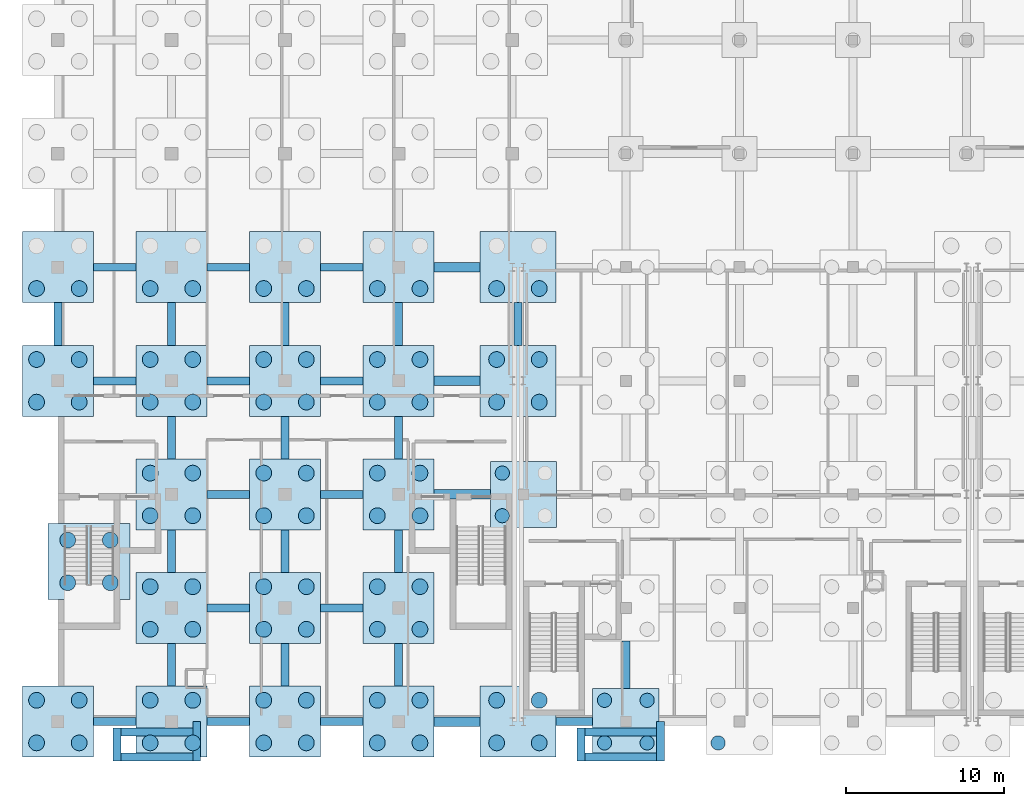
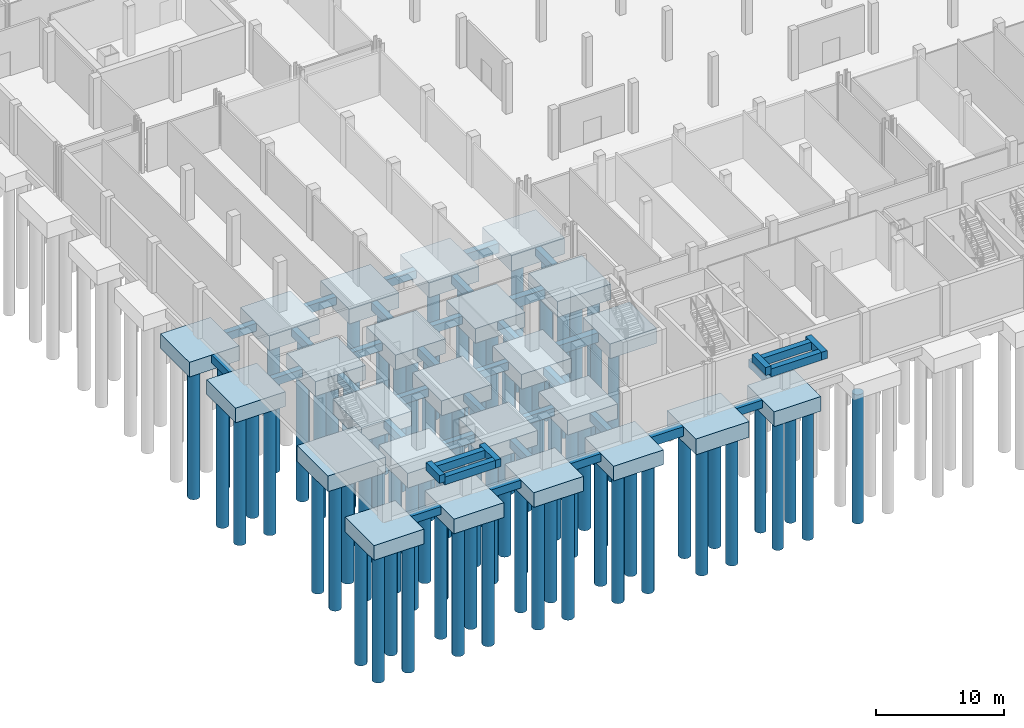
# One storey, part 1 of 35: 85 piles, 65 footings.
"""IFC4 building model written with IfcOpenShell, lengths in metres."""

from ifc_helpers import new_model, si_unit, direction, frame, origin, origin_2d, place, context, subcontext, project, spatial, rectangle, circle, extrude, material, material_profile, profile_set, type_object, element, save


model = new_model("IFC4")

# Units and contexts
model_context = context("Model", 3, precision=1e-05, world=origin(), true_north=direction((0.0, 1.0)))
body_context = subcontext(model_context, "Body", "Model", "MODEL_VIEW")
ifc_project = project(units=[si_unit("LENGTHUNIT", "METRE"), si_unit("AREAUNIT", "SQUARE_METRE"), si_unit("VOLUMEUNIT", "CUBIC_METRE"), si_unit("PLANEANGLEUNIT", "RADIAN"), si_unit("MASSUNIT", "GRAM", prefix="KILO")], contexts=[model_context])

# Site, building, storey
site_placement = place(None, origin())
site = spatial("IfcSite", under=ifc_project, at=site_placement, CompositionType="ELEMENT")
building_placement = place(site_placement, origin())
building = spatial("IfcBuilding", under=site, at=building_placement, Name="Zarrinpeak Specialist Clinic", CompositionType="ELEMENT")
storey_placement = place(building_placement, frame((0.0, 0.0, -4.800048828125)))
storey = spatial("IfcBuildingStorey", under=building, at=storey_placement, Name="B01", CompositionType="ELEMENT", Elevation=-4.800048828125)

# Footings
ifc_material = material(Name="Concrete C40/50", Category="concrete")
ifc_material_profile_1 = material_profile(ifc_material, rectangle(XDim=0.5, YDim=0.75, at=origin_2d()), Name="RC 500x750")
ifc_profile_set_1 = profile_set([ifc_material_profile_1], Name="Concrete C40/50")
footing_type_1 = type_object("IfcFootingType", Name="FT-GB1", PredefinedType="FOOTING_BEAM", material=ifc_profile_set_1)
for number, where, z_axis, x_axis, name in (
    (1, (2.25, 0.0, -0.77490234375), (1.0, 0.0, 0.0), (0.0, 1.0, 0.0), "Continuous Ground Tie Beam GB-001"),
    (2, (9.449951171875, 0.0, -0.77490234375), (1.0, 0.0, 0.0), (0.0, 1.0, 0.0), "Continuous Ground Tie Beam GB-002"),
):
    element("IfcFooting", number, at=place(storey_placement, frame(where, z_axis=z_axis, x_axis=x_axis)), inside=storey, type_object=footing_type_1, Name=name, PredefinedType="FOOTING_BEAM", context=body_context, shape_type="SweptSolid", body=[
        extrude(rectangle(XDim=0.5, YDim=0.75, at=origin_2d()), origin(), (0.0, 0.0, 1.0), 2.699951171875),
    ])
footing_1_placement = place(storey_placement, frame((16.64990234375, 0.0, -0.77490234375), z_axis=(1.0, 0.0, 0.0), x_axis=(0.0, 1.0, 0.0)))
element("IfcFooting", 3, at=footing_1_placement, inside=storey, type_object=footing_type_1, Name="Continuous Ground Tie Beam GB-003", PredefinedType="FOOTING_BEAM", context=body_context, shape_type="SweptSolid", body=[
    extrude(rectangle(XDim=0.5, YDim=0.75, at=origin_2d()), origin(), (0.0, 0.0, 1.0), 2.7001953125),
])
footing_2_placement = place(storey_placement, frame((31.56005859375, 0.0, -0.77490234375), z_axis=(1.0, 0.0, 0.0), x_axis=(0.0, 1.0, 0.0)))
element("IfcFooting", 4, at=footing_2_placement, inside=storey, type_object=footing_type_1, Name="Continuous Ground Tie Beam GB-005", PredefinedType="FOOTING_BEAM", context=body_context, shape_type="SweptSolid", body=[
    extrude(rectangle(XDim=0.5, YDim=0.75, at=origin_2d()), origin(), (0.0, 0.0, 1.0), 2.33984375),
])
footing_3_placement = place(storey_placement, frame((9.449951171875, 7.199951171875, -0.77490234375), z_axis=(1.0, 0.0, 0.0), x_axis=(0.0, 1.0, 0.0)))
element("IfcFooting", 5, at=footing_3_placement, inside=storey, type_object=footing_type_1, Name="Continuous Ground Tie Beam GB-013", PredefinedType="FOOTING_BEAM", context=body_context, shape_type="SweptSolid", body=[
    extrude(rectangle(XDim=0.5, YDim=0.75, at=origin_2d()), origin(), (0.0, 0.0, 1.0), 2.699951171875),
])
footing_4_placement = place(storey_placement, frame((16.64990234375, 7.199951171875, -0.77490234375), z_axis=(1.0, 0.0, 0.0), x_axis=(0.0, 1.0, 0.0)))
element("IfcFooting", 6, at=footing_4_placement, inside=storey, type_object=footing_type_1, Name="Continuous Ground Tie Beam GB-014", PredefinedType="FOOTING_BEAM", context=body_context, shape_type="SweptSolid", body=[
    extrude(rectangle(XDim=0.5, YDim=0.75, at=origin_2d()), origin(), (0.0, 0.0, 1.0), 2.7001953125),
])
footing_5_placement = place(storey_placement, frame((9.449951171875, 14.39990234375, -0.77490234375), z_axis=(1.0, 0.0, 0.0), x_axis=(0.0, 1.0, 0.0)))
element("IfcFooting", 7, at=footing_5_placement, inside=storey, type_object=footing_type_1, Name="Continuous Ground Tie Beam GB-018", PredefinedType="FOOTING_BEAM", context=body_context, shape_type="SweptSolid", body=[
    extrude(rectangle(XDim=0.5, YDim=0.75, at=origin_2d()), origin(), (0.0, 0.0, 1.0), 2.699951171875),
])
footing_6_placement = place(storey_placement, frame((16.64990234375, 14.39990234375, -0.77490234375), z_axis=(1.0, 0.0, 0.0), x_axis=(0.0, 1.0, 0.0)))
element("IfcFooting", 8, at=footing_6_placement, inside=storey, type_object=footing_type_1, Name="Continuous Ground Tie Beam GB-019", PredefinedType="FOOTING_BEAM", context=body_context, shape_type="SweptSolid", body=[
    extrude(rectangle(XDim=0.5, YDim=0.75, at=origin_2d()), origin(), (0.0, 0.0, 1.0), 2.7001953125),
])
for number, where, z_axis, x_axis, name in (
    (9, (2.25, 21.60009765625, -0.77490234375), (1.0, 0.0, 0.0), (0.0, 1.0, 0.0), "Continuous Ground Tie Beam GB-029"),
    (10, (9.449951171875, 21.60009765625, -0.77490234375), (1.0, 0.0, 0.0), (0.0, 1.0, 0.0), "Continuous Ground Tie Beam GB-030"),
):
    element("IfcFooting", number, at=place(storey_placement, frame(where, z_axis=z_axis, x_axis=x_axis)), inside=storey, type_object=footing_type_1, Name=name, PredefinedType="FOOTING_BEAM", context=body_context, shape_type="SweptSolid", body=[
        extrude(rectangle(XDim=0.5, YDim=0.75, at=origin_2d()), origin(), (0.0, 0.0, 1.0), 2.699951171875),
    ])
footing_7_placement = place(storey_placement, frame((16.64990234375, 21.60009765625, -0.77490234375), z_axis=(1.0, 0.0, 0.0), x_axis=(0.0, 1.0, 0.0)))
element("IfcFooting", 11, at=footing_7_placement, inside=storey, type_object=footing_type_1, Name="Continuous Ground Tie Beam GB-031", PredefinedType="FOOTING_BEAM", context=body_context, shape_type="SweptSolid", body=[
    extrude(rectangle(XDim=0.5, YDim=0.75, at=origin_2d()), origin(), (0.0, 0.0, 1.0), 2.7001953125),
])
for number, where, z_axis, x_axis, name in (
    (12, (2.25, 28.800048828125, -0.77490234375), (1.0, 0.0, 0.0), (0.0, 1.0, 0.0), "Continuous Ground Tie Beam GB-041"),
    (13, (9.449951171875, 28.800048828125, -0.77490234375), (1.0, 0.0, 0.0), (0.0, 1.0, 0.0), "Continuous Ground Tie Beam GB-042"),
):
    element("IfcFooting", number, at=place(storey_placement, frame(where, z_axis=z_axis, x_axis=x_axis)), inside=storey, type_object=footing_type_1, Name=name, PredefinedType="FOOTING_BEAM", context=body_context, shape_type="SweptSolid", body=[
        extrude(rectangle(XDim=0.5, YDim=0.75, at=origin_2d()), origin(), (0.0, 0.0, 1.0), 2.699951171875),
    ])
footing_8_placement = place(storey_placement, frame((16.64990234375, 28.800048828125, -0.77490234375), z_axis=(1.0, 0.0, 0.0), x_axis=(0.0, 1.0, 0.0)))
element("IfcFooting", 14, at=footing_8_placement, inside=storey, type_object=footing_type_1, Name="Continuous Ground Tie Beam GB-043", PredefinedType="FOOTING_BEAM", context=body_context, shape_type="SweptSolid", body=[
    extrude(rectangle(XDim=0.5, YDim=0.75, at=origin_2d()), origin(), (0.0, 0.0, 1.0), 2.7001953125),
])
for number, where, z_axis, x_axis, name in (
    (15, (0.0, 23.85009765625, -0.77490234375), (0.0, 1.0, 0.0), (-1.0, 0.0, 0.0), "Continuous Ground Tie Beam GB-208"),
    (16, (7.199951171875, 2.25, -0.77490234375), (0.0, 1.0, 0.0), (-1.0, 0.0, 0.0), "Continuous Ground Tie Beam GB-215"),
    (17, (7.199951171875, 9.449951171875, -0.77490234375), (0.0, 1.0, 0.0), (-1.0, 0.0, 0.0), "Continuous Ground Tie Beam GB-216"),
):
    element("IfcFooting", number, at=place(storey_placement, frame(where, z_axis=z_axis, x_axis=x_axis)), inside=storey, type_object=footing_type_1, Name=name, PredefinedType="FOOTING_BEAM", context=body_context, shape_type="SweptSolid", body=[
        extrude(rectangle(XDim=0.5, YDim=0.75, at=origin_2d()), origin(), (0.0, 0.0, 1.0), 2.699951171875),
    ])
footing_9_placement = place(storey_placement, frame((7.199951171875, 16.64990234375, -0.77490234375), z_axis=(0.0, 1.0, 0.0), x_axis=(-1.0, 0.0, 0.0)))
element("IfcFooting", 18, at=footing_9_placement, inside=storey, type_object=footing_type_1, Name="Continuous Ground Tie Beam GB-217", PredefinedType="FOOTING_BEAM", context=body_context, shape_type="SweptSolid", body=[
    extrude(rectangle(XDim=0.5, YDim=0.75, at=origin_2d()), origin(), (0.0, 0.0, 1.0), 2.7001953125),
])
for number, where, z_axis, x_axis, name in (
    (19, (7.199951171875, 23.85009765625, -0.77490234375), (0.0, 1.0, 0.0), (-1.0, 0.0, 0.0), "Continuous Ground Tie Beam GB-218"),
    (20, (14.39990234375, 2.25, -0.77490234375), (0.0, 1.0, 0.0), (-1.0, 0.0, 0.0), "Continuous Ground Tie Beam GB-226"),
    (21, (14.39990234375, 9.449951171875, -0.77490234375), (0.0, 1.0, 0.0), (-1.0, 0.0, 0.0), "Continuous Ground Tie Beam GB-227"),
):
    element("IfcFooting", number, at=place(storey_placement, frame(where, z_axis=z_axis, x_axis=x_axis)), inside=storey, type_object=footing_type_1, Name=name, PredefinedType="FOOTING_BEAM", context=body_context, shape_type="SweptSolid", body=[
        extrude(rectangle(XDim=0.5, YDim=0.75, at=origin_2d()), origin(), (0.0, 0.0, 1.0), 2.699951171875),
    ])
footing_10_placement = place(storey_placement, frame((14.39990234375, 16.64990234375, -0.77490234375), z_axis=(0.0, 1.0, 0.0), x_axis=(-1.0, 0.0, 0.0)))
element("IfcFooting", 22, at=footing_10_placement, inside=storey, type_object=footing_type_1, Name="Continuous Ground Tie Beam GB-228", PredefinedType="FOOTING_BEAM", context=body_context, shape_type="SweptSolid", body=[
    extrude(rectangle(XDim=0.5, YDim=0.75, at=origin_2d()), origin(), (0.0, 0.0, 1.0), 2.7001953125),
])
for number, where, z_axis, x_axis, name in (
    (23, (14.39990234375, 23.85009765625, -0.77490234375), (0.0, 1.0, 0.0), (-1.0, 0.0, 0.0), "Continuous Ground Tie Beam GB-229"),
    (24, (21.60009765625, 2.25, -0.77490234375), (0.0, 1.0, 0.0), (-1.0, 0.0, 0.0), "Continuous Ground Tie Beam GB-237"),
    (25, (21.60009765625, 9.449951171875, -0.77490234375), (0.0, 1.0, 0.0), (-1.0, 0.0, 0.0), "Continuous Ground Tie Beam GB-238"),
):
    element("IfcFooting", number, at=place(storey_placement, frame(where, z_axis=z_axis, x_axis=x_axis)), inside=storey, type_object=footing_type_1, Name=name, PredefinedType="FOOTING_BEAM", context=body_context, shape_type="SweptSolid", body=[
        extrude(rectangle(XDim=0.5, YDim=0.75, at=origin_2d()), origin(), (0.0, 0.0, 1.0), 2.699951171875),
    ])
footing_11_placement = place(storey_placement, frame((21.60009765625, 16.64990234375, -0.77490234375), z_axis=(0.0, 1.0, 0.0), x_axis=(-1.0, 0.0, 0.0)))
element("IfcFooting", 26, at=footing_11_placement, inside=storey, type_object=footing_type_1, Name="Continuous Ground Tie Beam GB-239", PredefinedType="FOOTING_BEAM", context=body_context, shape_type="SweptSolid", body=[
    extrude(rectangle(XDim=0.5, YDim=0.75, at=origin_2d()), origin(), (0.0, 0.0, 1.0), 2.7001953125),
])
for number, where, z_axis, x_axis, name in (
    (27, (21.60009765625, 23.85009765625, -0.77490234375), (0.0, 1.0, 0.0), (-1.0, 0.0, 0.0), "Continuous Ground Tie Beam GB-240"),
    (28, (29.159912109375, 23.85009765625, -0.77490234375), (0.0, 1.0, 0.0), (-1.0, 0.0, 0.0), "Continuous Ground Tie Beam GB-253"),
):
    element("IfcFooting", number, at=place(storey_placement, frame(where, z_axis=z_axis, x_axis=x_axis)), inside=storey, type_object=footing_type_1, Name=name, PredefinedType="FOOTING_BEAM", context=body_context, shape_type="SweptSolid", body=[
        extrude(rectangle(XDim=0.5, YDim=0.75, at=origin_2d()), origin(), (0.0, 0.0, 1.0), 2.699951171875),
    ])
footing_12_placement = place(storey_placement, frame((36.0, 2.10009765625, -0.77490234375), z_axis=(0.0, 1.0, 0.0), x_axis=(-1.0, 0.0, 0.0)))
element("IfcFooting", 29, at=footing_12_placement, inside=storey, type_object=footing_type_1, Name="Continuous Ground Tie Beam GB-254", PredefinedType="FOOTING_BEAM", context=body_context, shape_type="SweptSolid", body=[
    extrude(rectangle(XDim=0.5, YDim=0.75, at=origin_2d()), origin(), (0.0, 0.0, 1.0), 3.0),
])
footing_13_placement = place(storey_placement, frame((3.75, -2.5, 4.025146484375), z_axis=(0.0, 1.0, 0.0), x_axis=(-1.0, 0.0, 0.0)))
element("IfcFooting", 30, at=footing_13_placement, inside=storey, type_object=footing_type_1, Name="Accessible Ramp Tie Footing Beam GB-R-ACC1", PredefinedType="FOOTING_BEAM", context=body_context, shape_type="SweptSolid", body=[
    extrude(rectangle(XDim=0.5, YDim=0.75, at=origin_2d()), origin(), (0.0, 0.0, 1.0), 2.10009765625),
])
for number, where, z_axis, x_axis, name in (
    (31, (4.0, -0.64990234375, 3.72509765625), (1.0, 0.0, 0.0), (0.0, 1.0, 0.0), "Accessible Ramp Tie Footing Beam GB-R-ACC1-N"),
    (32, (4.0, -2.25, 3.72509765625), (1.0, 0.0, 0.0), (0.0, 1.0, 0.0), "Accessible Ramp Tie Footing Beam GB-R-ACC1-S"),
):
    element("IfcFooting", number, at=place(storey_placement, frame(where, z_axis=z_axis, x_axis=x_axis)), inside=storey, type_object=footing_type_1, Name=name, PredefinedType="FOOTING_BEAM", context=body_context, shape_type="SweptSolid", body=[
        extrude(rectangle(XDim=0.5, YDim=0.75, at=origin_2d()), origin(), (0.0, 0.0, 1.0), 4.550048828125),
    ])
footing_14_placement = place(storey_placement, frame((8.800048828125, -2.5, 3.72509765625), z_axis=(0.0, 1.0, 0.0), x_axis=(-1.0, 0.0, 0.0)))
element("IfcFooting", 33, at=footing_14_placement, inside=storey, type_object=footing_type_1, Name="Accessible Ramp Tie Footing Beam GB-R-ACC1-E", PredefinedType="FOOTING_BEAM", context=body_context, shape_type="SweptSolid", body=[
    extrude(rectangle(XDim=0.5, YDim=0.75, at=origin_2d()), origin(), (0.0, 0.0, 1.0), 2.5),
])
footing_15_placement = place(storey_placement, frame((33.14990234375, -2.5, 4.025146484375), z_axis=(0.0, 1.0, 0.0), x_axis=(-1.0, 0.0, 0.0)))
element("IfcFooting", 34, at=footing_15_placement, inside=storey, type_object=footing_type_1, Name="Accessible Ramp Tie Footing Beam GB-R-ACC2", PredefinedType="FOOTING_BEAM", context=body_context, shape_type="SweptSolid", body=[
    extrude(rectangle(XDim=0.5, YDim=0.75, at=origin_2d()), origin(), (0.0, 0.0, 1.0), 2.10009765625),
])
for number, where, z_axis, x_axis, name in (
    (35, (33.39990234375, -0.64990234375, 3.72509765625), (1.0, 0.0, 0.0), (0.0, 1.0, 0.0), "Accessible Ramp Tie Footing Beam GB-R-ACC2-N"),
    (36, (33.39990234375, -2.25, 3.72509765625), (1.0, 0.0, 0.0), (0.0, 1.0, 0.0), "Accessible Ramp Tie Footing Beam GB-R-ACC2-S"),
):
    element("IfcFooting", number, at=place(storey_placement, frame(where, z_axis=z_axis, x_axis=x_axis)), inside=storey, type_object=footing_type_1, Name=name, PredefinedType="FOOTING_BEAM", context=body_context, shape_type="SweptSolid", body=[
        extrude(rectangle(XDim=0.5, YDim=0.75, at=origin_2d()), origin(), (0.0, 0.0, 1.0), 4.550048828125),
    ])
footing_16_placement = place(storey_placement, frame((38.199951171875, -2.5, 3.72509765625), z_axis=(0.0, 1.0, 0.0), x_axis=(-1.0, 0.0, 0.0)))
element("IfcFooting", 37, at=footing_16_placement, inside=storey, type_object=footing_type_1, Name="Accessible Ramp Tie Footing Beam GB-R-ACC2-E", PredefinedType="FOOTING_BEAM", context=body_context, shape_type="SweptSolid", body=[
    extrude(rectangle(XDim=0.5, YDim=0.75, at=origin_2d()), origin(), (0.0, 0.0, 1.0), 2.5),
])
ifc_material_profile_2 = material_profile(ifc_material, rectangle(XDim=0.60009765625, YDim=0.89990234375, at=origin_2d()), Name="RC 600x900")
ifc_profile_set_2 = profile_set([ifc_material_profile_2], Name="Concrete C40/50")
footing_type_2 = type_object("IfcFootingType", Name="FT-GB2", PredefinedType="FOOTING_BEAM", material=ifc_profile_set_2)
footing_17_placement = place(storey_placement, frame((23.85009765625, 0.0, -0.849853515625), z_axis=(1.0, 0.0, 0.0), x_axis=(0.0, 1.0, 0.0)))
element("IfcFooting", 38, at=footing_17_placement, inside=storey, type_object=footing_type_2, Name="Continuous Ground Tie Beam GB-004", PredefinedType="FOOTING_BEAM", context=body_context, shape_type="SweptSolid", body=[
    extrude(rectangle(XDim=0.60009765625, YDim=0.89990234375, at=origin_2d()), origin(), (0.0, 0.0, 1.0), 2.909912109375),
])
footing_18_placement = place(storey_placement, frame((23.85009765625, 14.39990234375, -0.849853515625), z_axis=(1.0, 0.0, 0.0), x_axis=(0.0, 1.0, 0.0)))
element("IfcFooting", 39, at=footing_18_placement, inside=storey, type_object=footing_type_2, Name="Continuous Ground Tie Beam GB-020", PredefinedType="FOOTING_BEAM", context=body_context, shape_type="SweptSolid", body=[
    extrude(rectangle(XDim=0.60009765625, YDim=0.89990234375, at=origin_2d()), origin(), (0.0, 0.0, 1.0), 3.56982421875),
])
for number, where, z_axis, x_axis, name in (
    (40, (23.85009765625, 21.60009765625, -0.849853515625), (1.0, 0.0, 0.0), (0.0, 1.0, 0.0), "Continuous Ground Tie Beam GB-032"),
    (41, (23.85009765625, 28.800048828125, -0.849853515625), (1.0, 0.0, 0.0), (0.0, 1.0, 0.0), "Continuous Ground Tie Beam GB-044"),
):
    element("IfcFooting", number, at=place(storey_placement, frame(where, z_axis=z_axis, x_axis=x_axis)), inside=storey, type_object=footing_type_2, Name=name, PredefinedType="FOOTING_BEAM", context=body_context, shape_type="SweptSolid", body=[
        extrude(rectangle(XDim=0.60009765625, YDim=0.89990234375, at=origin_2d()), origin(), (0.0, 0.0, 1.0), 2.909912109375),
    ])
footing_type_3 = type_object("IfcFootingType", Name="FT-PC3", PredefinedType="PILE_CAP", material=ifc_material)
for number, where, z_axis, x_axis, name in (
    (42, (29.52001953125, 14.39990234375, -1.7998046875), (0.0, 0.0, 1.0), (1.0, 0.0, 0.0), "Combined Pile Cap CAP-057 (V2)"),
    (43, (36.0, 0.0, -1.7998046875), (0.0, 0.0, 1.0), (1.0, 0.0, 0.0), "Combined Pile Cap CAP-058 (V2)"),
):
    element("IfcFooting", number, at=place(storey_placement, frame(where, z_axis=z_axis, x_axis=x_axis)), inside=storey, type_object=footing_type_3, Name=name, PredefinedType="PILE_CAP", context=body_context, shape_type="SweptSolid", body=[
        extrude(rectangle(XDim=4.199951171875, YDim=4.199951171875, at=origin_2d()), origin(), (0.0, 0.0, 1.0), 1.39990234375),
    ])
footing_type_4 = type_object("IfcFootingType", Name="FT-PC4", PredefinedType="PILE_CAP", material=ifc_material)
for number, where, z_axis, x_axis, name in (
    (44, (0.0, 0.0, -1.7998046875), (0.0, 0.0, 1.0), (1.0, 0.0, 0.0), "Combined Pile Cap CAP-001 (V1)"),
    (45, (0.0, 21.60009765625, -1.7998046875), (0.0, 0.0, 1.0), (1.0, 0.0, 0.0), "Combined Pile Cap CAP-002 (V1)"),
    (46, (0.0, 28.800048828125, -1.7998046875), (0.0, 0.0, 1.0), (1.0, 0.0, 0.0), "Combined Pile Cap CAP-003 (V1)"),
    (47, (7.199951171875, 0.0, -1.7998046875), (0.0, 0.0, 1.0), (1.0, 0.0, 0.0), "Combined Pile Cap CAP-011 (V1)"),
    (48, (7.199951171875, 7.199951171875, -1.7998046875), (0.0, 0.0, 1.0), (1.0, 0.0, 0.0), "Combined Pile Cap CAP-012 (V1)"),
    (49, (7.199951171875, 14.39990234375, -1.7998046875), (0.0, 0.0, 1.0), (1.0, 0.0, 0.0), "Combined Pile Cap CAP-013 (V1)"),
    (50, (7.199951171875, 21.60009765625, -1.7998046875), (0.0, 0.0, 1.0), (1.0, 0.0, 0.0), "Combined Pile Cap CAP-014 (V1)"),
    (51, (7.199951171875, 28.800048828125, -1.7998046875), (0.0, 0.0, 1.0), (1.0, 0.0, 0.0), "Combined Pile Cap CAP-015 (V1)"),
    (52, (14.39990234375, 0.0, -1.7998046875), (0.0, 0.0, 1.0), (1.0, 0.0, 0.0), "Combined Pile Cap CAP-023 (V1)"),
    (53, (14.39990234375, 7.199951171875, -1.7998046875), (0.0, 0.0, 1.0), (1.0, 0.0, 0.0), "Combined Pile Cap CAP-024 (V1)"),
    (54, (14.39990234375, 14.39990234375, -1.7998046875), (0.0, 0.0, 1.0), (1.0, 0.0, 0.0), "Combined Pile Cap CAP-025 (V1)"),
    (55, (14.39990234375, 21.60009765625, -1.7998046875), (0.0, 0.0, 1.0), (1.0, 0.0, 0.0), "Combined Pile Cap CAP-026 (V1)"),
    (56, (14.39990234375, 28.800048828125, -1.7998046875), (0.0, 0.0, 1.0), (1.0, 0.0, 0.0), "Combined Pile Cap CAP-027 (V1)"),
    (57, (21.60009765625, 0.0, -1.7998046875), (0.0, 0.0, 1.0), (1.0, 0.0, 0.0), "Combined Pile Cap CAP-035 (V1)"),
    (58, (21.60009765625, 7.199951171875, -1.7998046875), (0.0, 0.0, 1.0), (1.0, 0.0, 0.0), "Combined Pile Cap CAP-036 (V1)"),
    (59, (21.60009765625, 14.39990234375, -1.7998046875), (0.0, 0.0, 1.0), (1.0, 0.0, 0.0), "Combined Pile Cap CAP-037 (V1)"),
    (60, (21.60009765625, 21.60009765625, -1.7998046875), (0.0, 0.0, 1.0), (1.0, 0.0, 0.0), "Combined Pile Cap CAP-038 (V1)"),
    (61, (21.60009765625, 28.800048828125, -1.7998046875), (0.0, 0.0, 1.0), (1.0, 0.0, 0.0), "Combined Pile Cap CAP-039 (V1)"),
):
    element("IfcFooting", number, at=place(storey_placement, frame(where, z_axis=z_axis, x_axis=x_axis)), inside=storey, type_object=footing_type_4, Name=name, PredefinedType="PILE_CAP", context=body_context, shape_type="SweptSolid", body=[
        extrude(rectangle(XDim=4.5, YDim=4.5, at=origin_2d()), origin(), (0.0, 0.0, 1.0), 1.39990234375),
    ])
footing_type_5 = type_object("IfcFootingType", Name="FT-PC5", PredefinedType="PILE_CAP", material=ifc_material)
for number, where, z_axis, x_axis, name in (
    (62, (29.159912109375, 0.0, -1.89990234375), (0.0, 0.0, 1.0), (1.0, 0.0, 0.0), "Combined Pile Cap CAP-047 (V1)"),
    (63, (29.159912109375, 21.60009765625, -1.89990234375), (0.0, 0.0, 1.0), (1.0, 0.0, 0.0), "Combined Pile Cap CAP-048 (V1)"),
    (64, (29.159912109375, 28.800048828125, -1.89990234375), (0.0, 0.0, 1.0), (1.0, 0.0, 0.0), "Combined Pile Cap CAP-049 (V1)"),
):
    element("IfcFooting", number, at=place(storey_placement, frame(where, z_axis=z_axis, x_axis=x_axis)), inside=storey, type_object=footing_type_5, Name=name, PredefinedType="PILE_CAP", context=body_context, shape_type="SweptSolid", body=[
        extrude(rectangle(XDim=4.800048828125, YDim=4.5, at=origin_2d()), origin(), (0.0, 0.0, 1.0), 1.5),
    ])
footing_type_6 = type_object("IfcFootingType", Name="FT-PC6", PredefinedType="PILE_CAP", material=ifc_material)
footing_19_placement = place(storey_placement, frame((1.97509765625, 10.14990234375, -1.89990234375), z_axis=(0.0, 0.0, 1.0), x_axis=(1.0, 0.0, 0.0)))
element("IfcFooting", 65, at=footing_19_placement, inside=storey, type_object=footing_type_6, Name="Core Combined Pile Cap CAP-CORE-01", PredefinedType="PILE_CAP", context=body_context, shape_type="SweptSolid", body=[
    extrude(rectangle(XDim=5.199951171875, YDim=4.800048828125, at=origin_2d()), origin(), (0.0, 0.0, 1.0), 1.5),
])

# Piles
ifc_material_profile_3 = material_profile(ifc_material, circle(Radius=0.5, at=origin_2d()), Name="BORED PILE D1000")
ifc_profile_set_3 = profile_set([ifc_material_profile_3], Name="Concrete C40/50")
pile_type_1 = type_object("IfcPileType", Name="PL-D1000", PredefinedType="BORED", material=ifc_profile_set_3)
for number, where, z_axis, x_axis, name in (
    (66, (-1.35009765625, -1.35009765625, -1.699951171875), (0.0, 0.0, -1.0), (1.0, 0.0, 0.0), "Bored Foundation Pile FP-001-1"),
    (67, (1.35009765625, -1.35009765625, -1.699951171875), (0.0, 0.0, -1.0), (1.0, 0.0, 0.0), "Bored Foundation Pile FP-001-2"),
    (68, (-1.35009765625, 1.35009765625, -1.699951171875), (0.0, 0.0, -1.0), (1.0, 0.0, 0.0), "Bored Foundation Pile FP-001-3"),
    (69, (1.35009765625, 1.35009765625, -1.699951171875), (0.0, 0.0, -1.0), (1.0, 0.0, 0.0), "Bored Foundation Pile FP-001-4"),
    (70, (-1.35009765625, 20.25, -1.699951171875), (0.0, 0.0, -1.0), (1.0, 0.0, 0.0), "Bored Foundation Pile FP-002-1"),
    (71, (1.35009765625, 20.25, -1.699951171875), (0.0, 0.0, -1.0), (1.0, 0.0, 0.0), "Bored Foundation Pile FP-002-2"),
    (72, (-1.35009765625, 22.949951171875, -1.699951171875), (0.0, 0.0, -1.0), (1.0, 0.0, 0.0), "Bored Foundation Pile FP-002-3"),
    (73, (1.35009765625, 22.949951171875, -1.699951171875), (0.0, 0.0, -1.0), (1.0, 0.0, 0.0), "Bored Foundation Pile FP-002-4"),
    (74, (-1.35009765625, 27.449951171875, -1.699951171875), (0.0, 0.0, -1.0), (1.0, 0.0, 0.0), "Bored Foundation Pile FP-003-1"),
    (75, (1.35009765625, 27.449951171875, -1.699951171875), (0.0, 0.0, -1.0), (1.0, 0.0, 0.0), "Bored Foundation Pile FP-003-2"),
    (76, (5.85009765625, -1.35009765625, -1.699951171875), (0.0, 0.0, -1.0), (1.0, 0.0, 0.0), "Bored Foundation Pile FP-011-1"),
    (77, (8.550048828125, -1.35009765625, -1.699951171875), (0.0, 0.0, -1.0), (1.0, 0.0, 0.0), "Bored Foundation Pile FP-011-2"),
    (78, (5.85009765625, 1.35009765625, -1.699951171875), (0.0, 0.0, -1.0), (1.0, 0.0, 0.0), "Bored Foundation Pile FP-011-3"),
    (79, (8.550048828125, 1.35009765625, -1.699951171875), (0.0, 0.0, -1.0), (1.0, 0.0, 0.0), "Bored Foundation Pile FP-011-4"),
    (80, (5.85009765625, 5.85009765625, -1.699951171875), (0.0, 0.0, -1.0), (1.0, 0.0, 0.0), "Bored Foundation Pile FP-012-1"),
    (81, (8.550048828125, 5.85009765625, -1.699951171875), (0.0, 0.0, -1.0), (1.0, 0.0, 0.0), "Bored Foundation Pile FP-012-2"),
    (82, (5.85009765625, 8.550048828125, -1.699951171875), (0.0, 0.0, -1.0), (1.0, 0.0, 0.0), "Bored Foundation Pile FP-012-3"),
    (83, (8.550048828125, 8.550048828125, -1.699951171875), (0.0, 0.0, -1.0), (1.0, 0.0, 0.0), "Bored Foundation Pile FP-012-4"),
    (84, (5.85009765625, 13.050048828125, -1.699951171875), (0.0, 0.0, -1.0), (1.0, 0.0, 0.0), "Bored Foundation Pile FP-013-1"),
    (85, (8.550048828125, 13.050048828125, -1.699951171875), (0.0, 0.0, -1.0), (1.0, 0.0, 0.0), "Bored Foundation Pile FP-013-2"),
    (86, (5.85009765625, 15.75, -1.699951171875), (0.0, 0.0, -1.0), (1.0, 0.0, 0.0), "Bored Foundation Pile FP-013-3"),
    (87, (8.550048828125, 15.75, -1.699951171875), (0.0, 0.0, -1.0), (1.0, 0.0, 0.0), "Bored Foundation Pile FP-013-4"),
    (88, (5.85009765625, 20.25, -1.699951171875), (0.0, 0.0, -1.0), (1.0, 0.0, 0.0), "Bored Foundation Pile FP-014-1"),
    (89, (8.550048828125, 20.25, -1.699951171875), (0.0, 0.0, -1.0), (1.0, 0.0, 0.0), "Bored Foundation Pile FP-014-2"),
    (90, (5.85009765625, 22.949951171875, -1.699951171875), (0.0, 0.0, -1.0), (1.0, 0.0, 0.0), "Bored Foundation Pile FP-014-3"),
    (91, (8.550048828125, 22.949951171875, -1.699951171875), (0.0, 0.0, -1.0), (1.0, 0.0, 0.0), "Bored Foundation Pile FP-014-4"),
    (92, (5.85009765625, 27.449951171875, -1.699951171875), (0.0, 0.0, -1.0), (1.0, 0.0, 0.0), "Bored Foundation Pile FP-015-1"),
    (93, (8.550048828125, 27.449951171875, -1.699951171875), (0.0, 0.0, -1.0), (1.0, 0.0, 0.0), "Bored Foundation Pile FP-015-2"),
    (94, (13.050048828125, -1.35009765625, -1.699951171875), (0.0, 0.0, -1.0), (1.0, 0.0, 0.0), "Bored Foundation Pile FP-023-1"),
    (95, (15.75, -1.35009765625, -1.699951171875), (0.0, 0.0, -1.0), (1.0, 0.0, 0.0), "Bored Foundation Pile FP-023-2"),
    (96, (13.050048828125, 1.35009765625, -1.699951171875), (0.0, 0.0, -1.0), (1.0, 0.0, 0.0), "Bored Foundation Pile FP-023-3"),
    (97, (15.75, 1.35009765625, -1.699951171875), (0.0, 0.0, -1.0), (1.0, 0.0, 0.0), "Bored Foundation Pile FP-023-4"),
    (98, (13.050048828125, 5.85009765625, -1.699951171875), (0.0, 0.0, -1.0), (1.0, 0.0, 0.0), "Bored Foundation Pile FP-024-1"),
    (99, (15.75, 5.85009765625, -1.699951171875), (0.0, 0.0, -1.0), (1.0, 0.0, 0.0), "Bored Foundation Pile FP-024-2"),
    (100, (13.050048828125, 8.550048828125, -1.699951171875), (0.0, 0.0, -1.0), (1.0, 0.0, 0.0), "Bored Foundation Pile FP-024-3"),
    (101, (15.75, 8.550048828125, -1.699951171875), (0.0, 0.0, -1.0), (1.0, 0.0, 0.0), "Bored Foundation Pile FP-024-4"),
    (102, (13.050048828125, 13.050048828125, -1.699951171875), (0.0, 0.0, -1.0), (1.0, 0.0, 0.0), "Bored Foundation Pile FP-025-1"),
    (103, (15.75, 13.050048828125, -1.699951171875), (0.0, 0.0, -1.0), (1.0, 0.0, 0.0), "Bored Foundation Pile FP-025-2"),
    (104, (13.050048828125, 15.75, -1.699951171875), (0.0, 0.0, -1.0), (1.0, 0.0, 0.0), "Bored Foundation Pile FP-025-3"),
    (105, (15.75, 15.75, -1.699951171875), (0.0, 0.0, -1.0), (1.0, 0.0, 0.0), "Bored Foundation Pile FP-025-4"),
    (106, (13.050048828125, 20.25, -1.699951171875), (0.0, 0.0, -1.0), (1.0, 0.0, 0.0), "Bored Foundation Pile FP-026-1"),
    (107, (15.75, 20.25, -1.699951171875), (0.0, 0.0, -1.0), (1.0, 0.0, 0.0), "Bored Foundation Pile FP-026-2"),
    (108, (13.050048828125, 22.949951171875, -1.699951171875), (0.0, 0.0, -1.0), (1.0, 0.0, 0.0), "Bored Foundation Pile FP-026-3"),
    (109, (15.75, 22.949951171875, -1.699951171875), (0.0, 0.0, -1.0), (1.0, 0.0, 0.0), "Bored Foundation Pile FP-026-4"),
    (110, (13.050048828125, 27.449951171875, -1.699951171875), (0.0, 0.0, -1.0), (1.0, 0.0, 0.0), "Bored Foundation Pile FP-027-1"),
    (111, (15.75, 27.449951171875, -1.699951171875), (0.0, 0.0, -1.0), (1.0, 0.0, 0.0), "Bored Foundation Pile FP-027-2"),
    (112, (20.25, -1.35009765625, -1.699951171875), (0.0, 0.0, -1.0), (1.0, 0.0, 0.0), "Bored Foundation Pile FP-035-1"),
    (113, (22.949951171875, -1.35009765625, -1.699951171875), (0.0, 0.0, -1.0), (1.0, 0.0, 0.0), "Bored Foundation Pile FP-035-2"),
    (114, (20.25, 1.35009765625, -1.699951171875), (0.0, 0.0, -1.0), (1.0, 0.0, 0.0), "Bored Foundation Pile FP-035-3"),
    (115, (22.949951171875, 1.35009765625, -1.699951171875), (0.0, 0.0, -1.0), (1.0, 0.0, 0.0), "Bored Foundation Pile FP-035-4"),
    (116, (20.25, 5.85009765625, -1.699951171875), (0.0, 0.0, -1.0), (1.0, 0.0, 0.0), "Bored Foundation Pile FP-036-1"),
    (117, (22.949951171875, 5.85009765625, -1.699951171875), (0.0, 0.0, -1.0), (1.0, 0.0, 0.0), "Bored Foundation Pile FP-036-2"),
    (118, (20.25, 8.550048828125, -1.699951171875), (0.0, 0.0, -1.0), (1.0, 0.0, 0.0), "Bored Foundation Pile FP-036-3"),
    (119, (22.949951171875, 8.550048828125, -1.699951171875), (0.0, 0.0, -1.0), (1.0, 0.0, 0.0), "Bored Foundation Pile FP-036-4"),
    (120, (20.25, 13.050048828125, -1.699951171875), (0.0, 0.0, -1.0), (1.0, 0.0, 0.0), "Bored Foundation Pile FP-037-1"),
    (121, (22.949951171875, 13.050048828125, -1.699951171875), (0.0, 0.0, -1.0), (1.0, 0.0, 0.0), "Bored Foundation Pile FP-037-2"),
    (122, (20.25, 15.75, -1.699951171875), (0.0, 0.0, -1.0), (1.0, 0.0, 0.0), "Bored Foundation Pile FP-037-3"),
    (123, (22.949951171875, 15.75, -1.699951171875), (0.0, 0.0, -1.0), (1.0, 0.0, 0.0), "Bored Foundation Pile FP-037-4"),
    (124, (20.25, 20.25, -1.699951171875), (0.0, 0.0, -1.0), (1.0, 0.0, 0.0), "Bored Foundation Pile FP-038-1"),
    (125, (22.949951171875, 20.25, -1.699951171875), (0.0, 0.0, -1.0), (1.0, 0.0, 0.0), "Bored Foundation Pile FP-038-2"),
    (126, (20.25, 22.949951171875, -1.699951171875), (0.0, 0.0, -1.0), (1.0, 0.0, 0.0), "Bored Foundation Pile FP-038-3"),
    (127, (22.949951171875, 22.949951171875, -1.699951171875), (0.0, 0.0, -1.0), (1.0, 0.0, 0.0), "Bored Foundation Pile FP-038-4"),
    (128, (20.25, 27.449951171875, -1.699951171875), (0.0, 0.0, -1.0), (1.0, 0.0, 0.0), "Bored Foundation Pile FP-039-1"),
    (129, (22.949951171875, 27.449951171875, -1.699951171875), (0.0, 0.0, -1.0), (1.0, 0.0, 0.0), "Bored Foundation Pile FP-039-2"),
):
    element("IfcPile", number, at=place(storey_placement, frame(where, z_axis=z_axis, x_axis=x_axis)), inside=storey, type_object=pile_type_1, Name=name, PredefinedType="BORED", context=body_context, shape_type="SweptSolid", body=[
        extrude(circle(Radius=0.5, at=origin_2d()), origin(), (0.0, 0.0, 1.0), 12.300048828125),
    ])
for number, where, z_axis, x_axis, name in (
    (130, (27.81005859375, -1.35009765625, -1.800048828125), (0.0, 0.0, -1.0), (1.0, 0.0, 0.0), "Bored Foundation Pile FP-047-1"),
    (131, (30.510009765625, -1.35009765625, -1.800048828125), (0.0, 0.0, -1.0), (1.0, 0.0, 0.0), "Bored Foundation Pile FP-047-2"),
    (132, (27.81005859375, 1.35009765625, -1.800048828125), (0.0, 0.0, -1.0), (1.0, 0.0, 0.0), "Bored Foundation Pile FP-047-3"),
    (133, (30.510009765625, 1.35009765625, -1.800048828125), (0.0, 0.0, -1.0), (1.0, 0.0, 0.0), "Bored Foundation Pile FP-047-4"),
    (134, (27.81005859375, 20.25, -1.800048828125), (0.0, 0.0, -1.0), (1.0, 0.0, 0.0), "Bored Foundation Pile FP-048-1"),
    (135, (30.510009765625, 20.25, -1.800048828125), (0.0, 0.0, -1.0), (1.0, 0.0, 0.0), "Bored Foundation Pile FP-048-2"),
    (136, (27.81005859375, 22.949951171875, -1.800048828125), (0.0, 0.0, -1.0), (1.0, 0.0, 0.0), "Bored Foundation Pile FP-048-3"),
    (137, (30.510009765625, 22.949951171875, -1.800048828125), (0.0, 0.0, -1.0), (1.0, 0.0, 0.0), "Bored Foundation Pile FP-048-4"),
    (138, (27.81005859375, 27.449951171875, -1.800048828125), (0.0, 0.0, -1.0), (1.0, 0.0, 0.0), "Bored Foundation Pile FP-049-1"),
    (139, (30.510009765625, 27.449951171875, -1.800048828125), (0.0, 0.0, -1.0), (1.0, 0.0, 0.0), "Bored Foundation Pile FP-049-2"),
    (140, (0.625, 8.800048828125, -1.800048828125), (0.0, 0.0, -1.0), (1.0, 0.0, 0.0), "Core Bored Pile FP-CORE-01-1"),
    (141, (3.324951171875, 8.800048828125, -1.800048828125), (0.0, 0.0, -1.0), (1.0, 0.0, 0.0), "Core Bored Pile FP-CORE-01-2"),
    (142, (0.625, 11.5, -1.800048828125), (0.0, 0.0, -1.0), (1.0, 0.0, 0.0), "Core Bored Pile FP-CORE-01-3"),
    (143, (3.324951171875, 11.5, -1.800048828125), (0.0, 0.0, -1.0), (1.0, 0.0, 0.0), "Core Bored Pile FP-CORE-01-4"),
):
    element("IfcPile", number, at=place(storey_placement, frame(where, z_axis=z_axis, x_axis=x_axis)), inside=storey, type_object=pile_type_1, Name=name, PredefinedType="BORED", context=body_context, shape_type="SweptSolid", body=[
        extrude(circle(Radius=0.5, at=origin_2d()), origin(), (0.0, 0.0, 1.0), 12.199951171875),
    ])
ifc_material_profile_4 = material_profile(ifc_material, circle(Radius=0.449951171875, at=origin_2d()), Name="BORED PILE D900")
ifc_profile_set_4 = profile_set([ifc_material_profile_4], Name="Concrete C40/50")
pile_type_2 = type_object("IfcPileType", Name="PL-D900", PredefinedType="BORED", material=ifc_profile_set_4)
for number, where, z_axis, x_axis, name in (
    (144, (28.169921875, 13.050048828125, -1.699951171875), (0.0, 0.0, -1.0), (1.0, 0.0, 0.0), "Bored Foundation Pile FP-057-1"),
    (145, (28.169921875, 15.75, -1.699951171875), (0.0, 0.0, -1.0), (1.0, 0.0, 0.0), "Bored Foundation Pile FP-057-3"),
    (146, (34.64990234375, -1.35009765625, -1.699951171875), (0.0, 0.0, -1.0), (1.0, 0.0, 0.0), "Bored Foundation Pile FP-058-1"),
    (147, (37.35009765625, -1.35009765625, -1.699951171875), (0.0, 0.0, -1.0), (1.0, 0.0, 0.0), "Bored Foundation Pile FP-058-2"),
    (148, (34.64990234375, 1.35009765625, -1.699951171875), (0.0, 0.0, -1.0), (1.0, 0.0, 0.0), "Bored Foundation Pile FP-058-3"),
    (149, (37.35009765625, 1.35009765625, -1.699951171875), (0.0, 0.0, -1.0), (1.0, 0.0, 0.0), "Bored Foundation Pile FP-058-4"),
    (150, (41.85009765625, -1.35009765625, -1.699951171875), (0.0, 0.0, -1.0), (1.0, 0.0, 0.0), "Bored Foundation Pile FP-075-1"),
):
    element("IfcPile", number, at=place(storey_placement, frame(where, z_axis=z_axis, x_axis=x_axis)), inside=storey, type_object=pile_type_2, Name=name, PredefinedType="BORED", context=body_context, shape_type="SweptSolid", body=[
        extrude(circle(Radius=0.449951171875, at=origin_2d()), origin(), (0.0, 0.0, 1.0), 12.300048828125),
    ])

save(model, "model.ifc")
